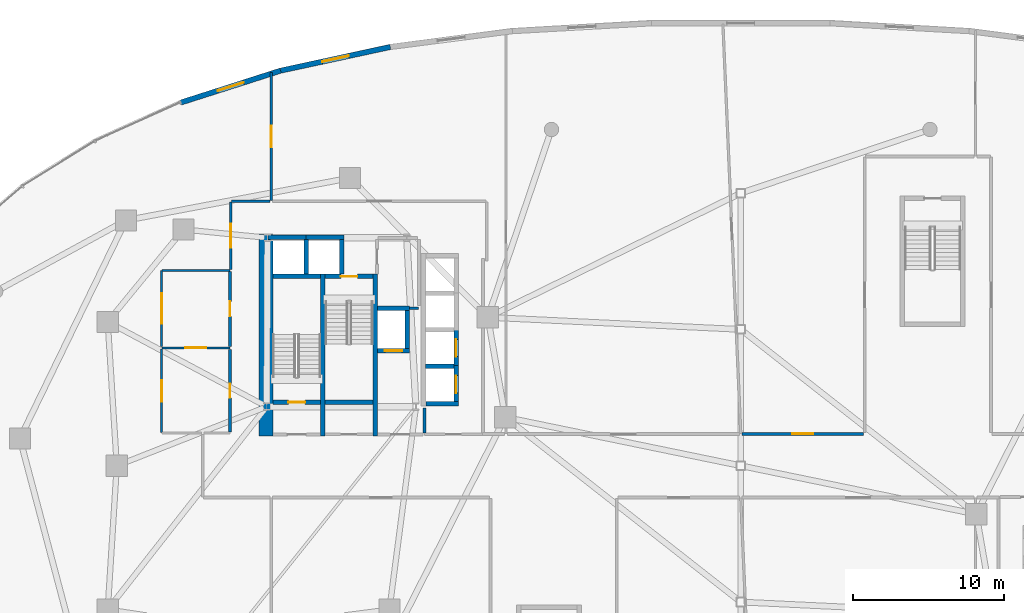
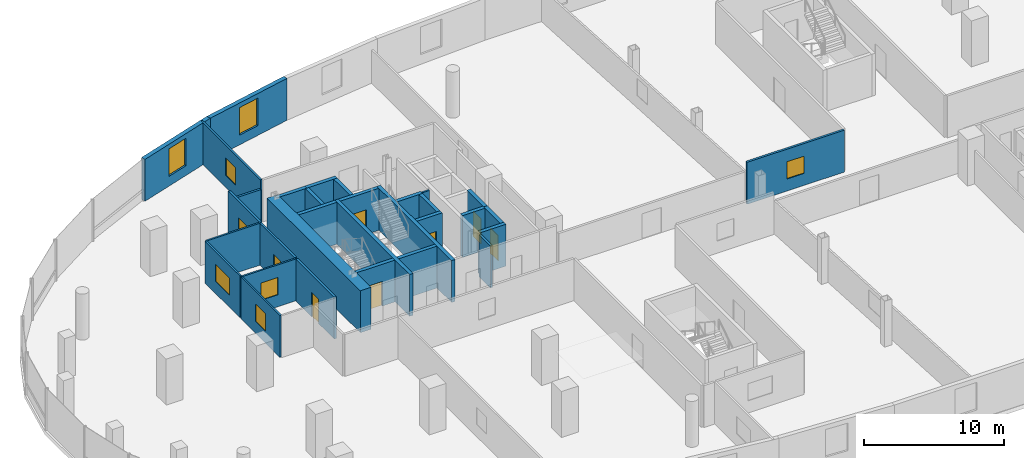
# One storey, part 13 of 19: 32 walls, 8 doors, 7 windows, 15 openings.
"""IFC4 building model written with IfcOpenShell, lengths in metres."""

import ifcopenshell
import ifcopenshell.guid

model = None  # the IFC model being written
_history = None  # IfcOwnerHistory: only IFC2X3 demands one
_inside = {}  # id of a spatial element -> (the spatial element, [elements in it])
_under = {}  # id of a project, library or spatial element -> (it, [spatial elements below it])
_declared = {}  # id of a project -> (the project, [libraries it declares])
_typed = {}  # id of a type object -> (the type object, [elements of that type])
_made_of = {}  # id of a material, layer set ... -> (it, [elements and type objects made of it])


def new_model(schema):
    """Start an empty IFC model of exactly this schema.

    Asked for "IFC4X3", IfcOpenShell would pick the latest addendum, in which some entities
    have other attributes; the version numbers below select the first issue.
    IFC2X3 requires an IfcOwnerHistory on every rooted entity: one is made here for all.
    """
    global model, _history
    if schema == "IFC4X3":
        model = ifcopenshell.file(schema_version=(4, 3, 0, 0))
    else:
        model = ifcopenshell.file(schema=schema)
    _inside.clear()
    _under.clear()
    _declared.clear()
    _typed.clear()
    _made_of.clear()
    _history = None
    if model.schema == "IFC2X3":
        org = make("IfcOrganization", Name="unknown")
        user = make(
            "IfcPersonAndOrganization",
            ThePerson=make("IfcPerson", FamilyName="unknown"),
            TheOrganization=org,
        )
        app = make(
            "IfcApplication",
            ApplicationDeveloper=org,
            Version="unknown",
            ApplicationFullName="unknown",
            ApplicationIdentifier="unknown",
        )
        _history = make(
            "IfcOwnerHistory",
            OwningUser=user,
            OwningApplication=app,
            ChangeAction="ADDED",
            CreationDate=0,
        )
    return model


def make(cls, **values):
    """One entity of the class cls with the attributes given. An attribute that is None is left unset."""
    return model.create_entity(
        cls, **{name: value for name, value in values.items() if value is not None}
    )


def rooted(cls, **values):
    """An entity with a GlobalId (a new one), such as an element, a storey or a relation."""
    return make(cls, GlobalId=ifcopenshell.guid.new(), OwnerHistory=_history, **values)


def si_unit(unit_type, name, prefix=None):
    """IfcSIUnit, for example si_unit("LENGTHUNIT", "METRE", prefix="MILLI")."""
    return make("IfcSIUnit", UnitType=unit_type, Prefix=prefix, Name=name)


def assignment(units):
    """IfcUnitAssignment: the units of a project."""
    return None if units is None else make("IfcUnitAssignment", Units=units)


def point(xyz):
    """IfcCartesianPoint."""
    return None if xyz is None else make("IfcCartesianPoint", Coordinates=xyz)


def direction(xyz):
    """IfcDirection."""
    return None if xyz is None else make("IfcDirection", DirectionRatios=xyz)


def frame(location, z_axis=None, x_axis=None):
    """IfcAxis2Placement3D, a coordinate frame: its origin and axes. An axis left out is left unset."""
    return make(
        "IfcAxis2Placement3D",
        Location=point(location),
        Axis=direction(z_axis),
        RefDirection=direction(x_axis),
    )


def frame_2d(location, x_axis=None):
    """IfcAxis2Placement2D, a coordinate frame in the plane: its origin and x axis."""
    return make(
        "IfcAxis2Placement2D", Location=point(location), RefDirection=direction(x_axis)
    )


def origin():
    """The frame at (0, 0, 0) with its axes left unset."""
    return frame((0.0, 0.0, 0.0))


def place(relative_to, where):
    """IfcLocalPlacement: puts the frame where relative to a parent placement (None: the world)."""
    return make(
        "IfcLocalPlacement", PlacementRelTo=relative_to, RelativePlacement=where
    )


def context(
    kind, dimensions, precision=None, world=None, true_north=None, identifier=None
):
    """IfcGeometricRepresentationContext, for example the 3D "Model" context."""
    return make(
        "IfcGeometricRepresentationContext",
        ContextIdentifier=identifier,
        ContextType=kind,
        CoordinateSpaceDimension=dimensions,
        Precision=precision,
        WorldCoordinateSystem=world,
        TrueNorth=true_north,
    )


def subcontext(parent, identifier, kind, view, scale=None):
    """IfcGeometricRepresentationSubContext, for example "Body" below "Model"."""
    return make(
        "IfcGeometricRepresentationSubContext",
        ContextIdentifier=identifier,
        ContextType=kind,
        ParentContext=parent,
        TargetScale=scale,
        TargetView=view,
    )


def project(units=None, contexts=None):
    """IfcProject with its units and contexts."""
    return rooted(
        "IfcProject",
        Name="project",
        RepresentationContexts=contexts,
        UnitsInContext=assignment(units),
    )


def spatial(cls, under=None, at=None, **own):
    """A site, building, storey or space (cls), placed at a placement, below another one or the project."""
    s = rooted(cls, ObjectPlacement=at, **own)
    if under is not None:
        _under.setdefault(under.id(), (under, []))[1].append(s)
    return s


def profile(cls, at=None, kind="AREA", **sizes):
    """A parametric profile (cls). Its sizes go by their IFC names, for example OverallWidth=200.0."""
    return make(cls, ProfileType=kind, Position=at, **sizes)


def rectangle(**sizes):
    """IfcRectangleProfileDef."""
    return profile("IfcRectangleProfileDef", **sizes)


def extrude(swept, where, along, depth):
    """IfcExtrudedAreaSolid: the profile swept, set in the frame where, extruded along a direction by depth."""
    return make(
        "IfcExtrudedAreaSolid",
        SweptArea=swept,
        Position=where,
        ExtrudedDirection=direction(along),
        Depth=depth,
    )


def shape(context_of_items, identifier, shape_type, items):
    """IfcShapeRepresentation: the items that make up one representation, for example the "Body"."""
    return make(
        "IfcShapeRepresentation",
        ContextOfItems=context_of_items,
        RepresentationIdentifier=identifier,
        RepresentationType=shape_type,
        Items=items,
    )


def material(Name=None, Category=None):
    """IfcMaterial."""
    return make("IfcMaterial", Name=Name, Category=Category)


def layer(
    of_material, thickness, ventilated=None, Name=None, Category=None, Priority=None
):
    """IfcMaterialLayer: one layer of a wall or slab, of a material (None: an air gap)."""
    return make(
        "IfcMaterialLayer",
        Material=of_material,
        LayerThickness=thickness,
        IsVentilated=ventilated,
        Name=Name,
        Category=Category,
        Priority=Priority,
    )


def layer_set(layers, Name=None):
    """IfcMaterialLayerSet."""
    return make("IfcMaterialLayerSet", MaterialLayers=layers, LayerSetName=Name)


def made_of(thing, what):
    """Note that an element or type object is made of a material, layer set ...; save() writes the relation."""
    if what is not None:
        _made_of.setdefault(what.id(), (what, []))[1].append(thing)
    return thing


def type_object(cls, material=None, **own):
    """A type object (cls), such as IfcWallType, which elements share."""
    return made_of(rooted(cls, **own), material)


def element(
    cls,
    number,
    at=None,
    inside=None,
    cuts=None,
    type_object=None,
    material=None,
    context=None,
    identifier="Body",
    shape_type=None,
    held_by="IfcProductDefinitionShape",
    body=None,
    shapes=None,
    **own,
):
    """One element of the class cls, such as IfcWall. Its Tag is "e" and its number.

    at: its placement. inside: the storey or other place that contains it. cuts: it is an
    opening in that element (IfcRelVoidsElement). A single representation is given by context,
    identifier, shape_type and body (its items); several are given by shapes. held_by: the class
    of the entity that holds the representations. save() writes the other relations.
    """
    e = rooted(cls, Tag="e%d" % number, ObjectPlacement=at, **own)
    if body is not None:
        shapes = [shape(context, identifier, shape_type, body)]
    if shapes is not None:
        e.Representation = make(held_by, Representations=shapes)
    if inside is not None:
        _inside.setdefault(inside.id(), (inside, []))[1].append(e)
    if cuts is not None:
        rooted(
            "IfcRelVoidsElement", RelatingBuildingElement=cuts, RelatedOpeningElement=e
        )
    if type_object is not None:
        _typed.setdefault(type_object.id(), (type_object, []))[1].append(e)
    return made_of(e, material)


def fill(opening, filler):
    """IfcRelFillsElement: the door or window that sits in an opening."""
    return rooted(
        "IfcRelFillsElement",
        RelatingOpeningElement=opening,
        RelatedBuildingElement=filler,
    )


def aggregate(whole, parts):
    """IfcRelAggregates: a whole, such as a stair, and the parts it consists of."""
    return rooted("IfcRelAggregates", RelatingObject=whole, RelatedObjects=parts)


def save(model, path):
    """Write the relations noted so far, then the file.

    IfcRelAggregates (storeys below a building ...), IfcRelContainedInSpatialStructure (elements
    in a storey), IfcRelDefinesByType, IfcRelAssociatesMaterial and IfcRelDeclares: one each for
    every whole, place, type object, material and project.
    """
    for whole, parts in _under.values():
        aggregate(whole, parts)
    for where, things in _inside.values():
        rooted(
            "IfcRelContainedInSpatialStructure",
            RelatedElements=things,
            RelatingStructure=where,
        )
    for kind, things in _typed.values():
        rooted("IfcRelDefinesByType", RelatedObjects=things, RelatingType=kind)
    for what, things in _made_of.values():
        rooted("IfcRelAssociatesMaterial", RelatedObjects=things, RelatingMaterial=what)
    for by, libraries in _declared.values():
        rooted("IfcRelDeclares", RelatingContext=by, RelatedDefinitions=libraries)
    model.write(path)


model = new_model("IFC4")

# Units and contexts
model_context = context("Model", 3, precision=1e-05, world=origin(), true_north=direction((0.0, 1.0)))
body_context = subcontext(model_context, "Body", "Model", "MODEL_VIEW")
ifc_project = project(units=[si_unit("LENGTHUNIT", "METRE"), si_unit("AREAUNIT", "SQUARE_METRE"), si_unit("VOLUMEUNIT", "CUBIC_METRE"), si_unit("PLANEANGLEUNIT", "RADIAN"), si_unit("MASSUNIT", "GRAM", prefix="KILO"), si_unit("THERMODYNAMICTEMPERATUREUNIT", "KELVIN"), si_unit("POWERUNIT", "WATT")], contexts=[model_context])

# Site, building, storey
site_placement = place(None, origin())
site = spatial("IfcSite", under=ifc_project, at=site_placement, CompositionType="ELEMENT")
building_placement = place(site_placement, origin())
building = spatial("IfcBuilding", under=site, at=building_placement, Name="Cundina Bronze Exchange", CompositionType="ELEMENT")
storey_placement = place(building_placement, frame((0.0, 0.0, 16.0)))
storey = spatial("IfcBuildingStorey", under=building, at=storey_placement, Name="L03", CompositionType="ELEMENT", Elevation=16.0)

# Wall
ifc_material_1 = material(Name="Gypsum Fireboard Partition EI120")
ifc_layer_1 = layer(ifc_material_1, 0.179931640625, Name="Gypsum Fireboard Partition EI120")
ifc_layer_set_1 = layer_set([ifc_layer_1], Name="Gypsum Fireboard Partition EI120")
wall_type_1 = type_object("IfcWallType", Name="WL-COR-180", PredefinedType="PARTITIONING", material=ifc_layer_set_1)
wall_1_placement = place(storey_placement, frame((-20.889892578125, 2.14990234375, 0.0), z_axis=(0.0, 0.0, 1.0), x_axis=(0.0, 1.0, 0.0)))
element("IfcWall", 1, at=wall_1_placement, inside=storey, type_object=wall_type_1, Name="L03 W Firefighting Lobby Side Wall", PredefinedType="PARTITIONING", context=body_context, shape_type="SweptSolid", body=[
    extrude(rectangle(XDim=1.650146484375, YDim=0.179931640625, at=frame_2d((0.8251953125, 0.0))), origin(), (0.0, 0.0, 1.0), 3.64990234375),
])

# Wall, opening, door
wall_2_placement = place(storey_placement, frame((-33.719970703125, 2.219970703125, 0.0), z_axis=(0.0, 0.0, 1.0), x_axis=(0.0, 1.0, 0.0)))
wall_2 = element("IfcWall", 2, at=wall_2_placement, inside=storey, type_object=wall_type_1, Name="L03 Interior Partition 021", PredefinedType="PARTITIONING", context=body_context, shape_type="SweptSolid", body=[
    extrude(rectangle(XDim=5.4599609375, YDim=0.179931640625, at=frame_2d((2.72998046875, 0.0))), origin(), (0.0, 0.0, 1.0), 3.64990234375),
])
opening_1_placement = place(wall_2_placement, frame((2.2548828125, 0.0, 0.0)))
opening_1 = element("IfcOpeningElement", 3, at=opening_1_placement, cuts=wall_2, Name="Opening DW-01", PredefinedType="OPENING", context=body_context, shape_type="SweptSolid", body=[
    extrude(rectangle(XDim=0.949951171875, YDim=2.10009765625, at=frame_2d((0.47509765625, 1.050048828125))), frame((0.0, 0.099853515625, 0.0), z_axis=(0.0, -1.0, 0.0), x_axis=(1.0, 0.0, 0.0)), (0.0, 0.0, 1.0), 0.199951171875),
])
ifc_material_2 = material(Name="Solid Andean Oak Timber Grade A", Category="wood")
door_type_1 = type_object("IfcDoorType", Name="DR-WC-950", OperationType="NOTDEFINED", PredefinedType="DOOR", material=ifc_material_2)
door_1_placement = place(opening_1_placement, origin())
door_1 = element("IfcDoor", 4, at=door_1_placement, inside=storey, type_object=door_type_1, Name="L03 Interior Door 021", OperationType="SINGLE_SWING_RIGHT", OverallHeight=2.10009765625, OverallWidth=0.949951171875, PredefinedType="DOOR", context=body_context, shape_type="SweptSolid", body=[
    extrude(rectangle(XDim=0.949951171875, YDim=2.10009765625, at=frame_2d((0.47509765625, 1.050048828125))), frame((0.0, 0.02490234375, 0.0), z_axis=(0.0, -1.0, 0.0), x_axis=(1.0, 0.0, 0.0)), (0.0, 0.0, 1.0), 0.050048828125),
])
fill(opening_1, door_1)

wall_3_placement = place(storey_placement, frame((-33.719970703125, 7.8798828125, 0.0), z_axis=(0.0, 0.0, 1.0), x_axis=(0.0, 1.0, 0.0)))
wall_3 = element("IfcWall", 5, at=wall_3_placement, inside=storey, type_object=wall_type_1, Name="L03 Interior Partition 022", PredefinedType="PARTITIONING", context=body_context, shape_type="SweptSolid", body=[
    extrude(rectangle(XDim=4.960205078125, YDim=0.179931640625, at=frame_2d((2.47998046875, 0.0))), origin(), (0.0, 0.0, 1.0), 3.64990234375),
])
opening_2_placement = place(wall_3_placement, frame((1.97998046875, 0.0, 0.0)))
opening_2 = element("IfcOpeningElement", 6, at=opening_2_placement, cuts=wall_3, Name="Opening DO-01", PredefinedType="OPENING", context=body_context, shape_type="SweptSolid", body=[
    extrude(rectangle(XDim=1.0, YDim=2.14990234375, at=frame_2d((0.5, 1.074951171875))), frame((0.0, 0.099853515625, 0.0), z_axis=(0.0, -1.0, 0.0), x_axis=(1.0, 0.0, 0.0)), (0.0, 0.0, 1.0), 0.199951171875),
])
door_type_2 = type_object("IfcDoorType", Name="DR-OFF-1000", OperationType="NOTDEFINED", PredefinedType="DOOR", material=ifc_material_2)
door_2_placement = place(opening_2_placement, origin())
door_2 = element("IfcDoor", 7, at=door_2_placement, inside=storey, type_object=door_type_2, Name="L03 Interior Door 022", OperationType="SINGLE_SWING_LEFT", OverallHeight=2.14990234375, OverallWidth=1.0, PredefinedType="DOOR", context=body_context, shape_type="SweptSolid", body=[
    extrude(rectangle(XDim=1.0, YDim=2.14990234375, at=frame_2d((0.5, 1.074951171875))), frame((0.0, 0.02490234375, 0.0), z_axis=(0.0, -1.0, 0.0), x_axis=(1.0, 0.0, 0.0)), (0.0, 0.0, 1.0), 0.050048828125),
])
fill(opening_2, door_2)

wall_4_placement = place(storey_placement, frame((-33.669921875, 17.428466796875, 0.0), z_axis=(0.0, 0.0, 1.0), x_axis=(0.0, -1.0, 0.0)))
wall_4 = element("IfcWall", 8, at=wall_4_placement, inside=storey, type_object=wall_type_1, Name="L03 Interior Partition 045", PredefinedType="PARTITIONING", context=body_context, shape_type="SweptSolid", body=[
    extrude(rectangle(XDim=4.47705078125, YDim=0.179931640625, at=frame_2d((2.238525390625, 0.0))), origin(), (0.0, 0.0, 1.0), 3.64990234375),
])
opening_3_placement = place(wall_4_placement, frame((1.4384765625, 0.0, 0.0)))
opening_3 = element("IfcOpeningElement", 9, at=opening_3_placement, cuts=wall_4, Name="Opening DO-02", PredefinedType="OPENING", context=body_context, shape_type="SweptSolid", body=[
    extrude(rectangle(XDim=1.60009765625, YDim=2.199951171875, at=frame_2d((0.800048828125, 1.10009765625))), frame((0.0, 0.099853515625, 0.0), z_axis=(0.0, -1.0, 0.0), x_axis=(1.0, 0.0, 0.0)), (0.0, 0.0, 1.0), 0.199951171875),
])
door_type_3 = type_object("IfcDoorType", Name="DR-TRD-1600", OperationType="NOTDEFINED", PredefinedType="DOOR", material=ifc_material_2)
door_3_placement = place(opening_3_placement, origin())
door_3 = element("IfcDoor", 10, at=door_3_placement, inside=storey, type_object=door_type_3, Name="L03 Interior Door 045", OperationType="SINGLE_SWING_RIGHT", OverallHeight=2.199951171875, OverallWidth=1.60009765625, PredefinedType="DOOR", context=body_context, shape_type="SweptSolid", body=[
    extrude(rectangle(XDim=1.60009765625, YDim=2.199951171875, at=frame_2d((0.800048828125, 1.10009765625))), frame((0.0, 0.02490234375, 0.0), z_axis=(0.0, -1.0, 0.0), x_axis=(1.0, 0.0, 0.0)), (0.0, 0.0, 1.0), 0.050048828125),
])
fill(opening_3, door_3)

# Wall
wall_5_placement = place(storey_placement, frame((-31.094970703125, 17.469970703125, 0.0), z_axis=(0.0, 0.0, 1.0), x_axis=(-1.0, 0.0, 0.0)))
element("IfcWall", 11, at=wall_5_placement, inside=storey, type_object=wall_type_1, Name="L03 Interior Partition 048", PredefinedType="PARTITIONING", context=body_context, shape_type="SweptSolid", body=[
    extrude(rectangle(XDim=2.533447265625, YDim=0.179931640625, at=frame_2d((1.2666015625, 0.0))), origin(), (0.0, 0.0, 1.0), 2.876953125),
])

# Wall, opening, window
wall_6_placement = place(storey_placement, frame((8.10009765625, 2.10009765625, 0.0), z_axis=(0.0, 0.0, 1.0), x_axis=(-1.0, 0.0, 0.0)))
wall_6 = element("IfcWall", 12, at=wall_6_placement, inside=storey, type_object=wall_type_1, Name="L03 Interior Partition 059", PredefinedType="PARTITIONING", context=body_context, shape_type="SweptSolid", body=[
    extrude(rectangle(XDim=8.005126953125, YDim=0.179931640625, at=frame_2d((4.00244140625, 0.0))), origin(), (0.0, 0.0, 1.0), 3.64990234375),
])
opening_4_placement = place(wall_6_placement, frame((3.302001953125, 0.0, 1.050048828125)))
opening_4 = element("IfcOpeningElement", 13, at=opening_4_placement, cuts=wall_6, Name="Opening WI-02", PredefinedType="OPENING", context=body_context, shape_type="SweptSolid", body=[
    extrude(rectangle(XDim=1.39990234375, YDim=1.5, at=frame_2d((0.699951171875, 0.75))), frame((0.0, 0.099853515625, 0.0), z_axis=(0.0, -1.0, 0.0), x_axis=(1.0, 0.0, 0.0)), (0.0, 0.0, 1.0), 0.199951171875),
])
ifc_material_3 = material(Name="Clear Low-E Insulating Glass 26mm", Category="glass")
window_type_1 = type_object("IfcWindowType", Name="WN-INT-1400", PartitioningType="SINGLE_PANEL", PredefinedType="WINDOW", material=ifc_material_3)
window_1_placement = place(opening_4_placement, origin())
window_1 = element("IfcWindow", 14, at=window_1_placement, inside=storey, type_object=window_type_1, Name="L03 Interior Acoustic Vision Window 059", OverallHeight=1.5, OverallWidth=1.39990234375, PartitioningType="SINGLE_PANEL", PredefinedType="WINDOW", context=body_context, shape_type="SweptSolid", body=[
    extrude(rectangle(XDim=1.39990234375, YDim=1.5, at=frame_2d((0.699951171875, 0.75))), frame((0.0, 0.030029296875, 0.0), z_axis=(0.0, -1.0, 0.0), x_axis=(1.0, 0.0, 0.0)), (0.0, 0.0, 1.0), 0.06005859375),
])
fill(opening_4, window_1)

# Wall
ifc_material_4 = material(Name="Concrete C60/75", Category="concrete")
ifc_layer_2 = layer(ifc_material_4, 0.89990234375, Name="Concrete C60/75", Category="concrete")
ifc_layer_set_2 = layer_set([ifc_layer_2], Name="Concrete C60/75")
wall_type_2 = type_object("IfcWallType", Name="WL-CORE-900", PredefinedType="SHEAR", material=ifc_layer_set_2)
wall_7_placement = place(storey_placement, frame((-31.35009765625, 1.969970703125, 0.0), z_axis=(0.0, 0.0, 1.0), x_axis=(0.0, 1.0, 0.0)))
element("IfcWall", 15, at=wall_7_placement, inside=storey, type_object=wall_type_2, Name="L03 W Primary Core Shear Spine Wall", PredefinedType="SHEAR", context=body_context, shape_type="SweptSolid", body=[
    extrude(rectangle(XDim=13.330078125, YDim=0.89990234375, at=frame_2d((6.6650390625, 0.0))), origin(), (0.0, 0.0, 1.0), 3.64990234375),
])

# Wall, opening, window
ifc_material_5 = material(Name="Concrete C40/50", Category="concrete")
ifc_layer_3 = layer(ifc_material_5, 0.35009765625, Name="Concrete C40/50", Category="concrete")
ifc_layer_set_3 = layer_set([ifc_layer_3], Name="Concrete C40/50")
wall_type_3 = type_object("IfcWallType", Name="WL-EXT-350", PredefinedType="SOLIDWALL", material=ifc_layer_set_3)
wall_8_placement = place(storey_placement, frame((-23.139892578125, 27.65234375, 0.0), z_axis=(0.0, 0.0, 1.0), x_axis=(-0.977456656467, -0.211136175795, 0.0)))
wall_8 = element("IfcWall", 16, at=wall_8_placement, inside=storey, type_object=wall_type_3, Name="L03 Podium Exterior Wall 13", PredefinedType="SOLIDWALL", context=body_context, shape_type="SweptSolid", body=[
    extrude(rectangle(XDim=7.40625, YDim=0.35009765625, at=frame_2d((3.703125, 0.0))), origin(), (0.0, 0.0, 1.0), 3.64990234375),
])
opening_5_placement = place(wall_8_placement, frame((2.802978515625, 0.0, 0.85009765625)))
opening_5 = element("IfcOpeningElement", 17, at=opening_5_placement, cuts=wall_8, Name="Opening W-02", PredefinedType="OPENING", context=body_context, shape_type="SweptSolid", body=[
    extrude(rectangle(XDim=1.800048828125, YDim=2.39990234375, at=frame_2d((0.89990234375, 1.199951171875))), frame((0.0, 0.18505859375, 0.0), z_axis=(0.0, -1.0, 0.0), x_axis=(1.0, 0.0, 0.0)), (0.0, 0.0, 1.0), 0.3701171875),
])
ifc_material_6 = material(Name="Heat-Strengthened Solar-Control Bronze Safety Glass 28mm", Category="glass")
window_type_2 = type_object("IfcWindowType", Name="WN-POD-1800", PartitioningType="SINGLE_PANEL", PredefinedType="WINDOW", material=ifc_material_6)
window_2_placement = place(opening_5_placement, origin())
window_2 = element("IfcWindow", 18, at=window_2_placement, inside=storey, type_object=window_type_2, Name="L03 Podium Punched Window 13", OverallHeight=2.39990234375, OverallWidth=1.800048828125, PartitioningType="SINGLE_PANEL", PredefinedType="WINDOW", context=body_context, shape_type="SweptSolid", body=[
    extrude(rectangle(XDim=1.800048828125, YDim=2.39990234375, at=frame_2d((0.89990234375, 1.199951171875))), frame((0.0, 0.030029296875, 0.0), z_axis=(0.0, -1.0, 0.0), x_axis=(1.0, 0.0, 0.0)), (0.0, 0.0, 1.0), 0.06005859375),
])
fill(opening_5, window_2)

wall_9_placement = place(storey_placement, frame((-30.379150390625, 26.088623046875, 0.0), z_axis=(0.0, 0.0, 1.0), x_axis=(-0.952587993211, -0.304263233385, 0.0)))
wall_9 = element("IfcWall", 19, at=wall_9_placement, inside=storey, type_object=wall_type_3, Name="L03 Podium Exterior Wall 14", PredefinedType="SOLIDWALL", context=body_context, shape_type="SweptSolid", body=[
    extrude(rectangle(XDim=6.931884765625, YDim=0.35009765625, at=frame_2d((3.4658203125, 0.0))), origin(), (0.0, 0.0, 1.0), 3.64990234375),
])
opening_6_placement = place(wall_9_placement, frame((2.56591796875, 0.0, 0.85009765625)))
opening_6 = element("IfcOpeningElement", 20, at=opening_6_placement, cuts=wall_9, Name="Opening W-02", PredefinedType="OPENING", context=body_context, shape_type="SweptSolid", body=[
    extrude(rectangle(XDim=1.800048828125, YDim=2.39990234375, at=frame_2d((0.89990234375, 1.199951171875))), frame((0.0, 0.18505859375, 0.0), z_axis=(0.0, -1.0, 0.0), x_axis=(1.0, 0.0, 0.0)), (0.0, 0.0, 1.0), 0.3701171875),
])
window_3_placement = place(opening_6_placement, origin())
window_3 = element("IfcWindow", 21, at=window_3_placement, inside=storey, type_object=window_type_2, Name="L03 Podium Punched Window 14", OverallHeight=2.39990234375, OverallWidth=1.800048828125, PartitioningType="SINGLE_PANEL", PredefinedType="WINDOW", context=body_context, shape_type="SweptSolid", body=[
    extrude(rectangle(XDim=1.800048828125, YDim=2.39990234375, at=frame_2d((0.89990234375, 1.199951171875))), frame((0.0, 0.030029296875, 0.0), z_axis=(0.0, -1.0, 0.0), x_axis=(1.0, 0.0, 0.0)), (0.0, 0.0, 1.0), 0.06005859375),
])
fill(opening_6, window_3)

# Walls
ifc_material_7 = material(Name="Concrete C50/60", Category="concrete")
ifc_layer_4 = layer(ifc_material_7, 0.300048828125, Name="Concrete C50/60", Category="concrete")
ifc_layer_set_4 = layer_set([ifc_layer_4], Name="Concrete C50/60")
wall_type_4 = type_object("IfcWallType", Name="WL-SHFT-300", PredefinedType="SHEAR", material=ifc_layer_set_4)
for number, where, z_axis, x_axis, name in (
    (22, (-27.590087890625, 1.969970703125, 0.0), (0.0, 0.0, 1.0), (0.0, 1.0, 0.0), "L03 W Stair Shaft Dividing Shear Wall"),
    (23, (-24.1298828125, 1.969970703125, 0.0), (0.0, 0.0, 1.0), (0.0, 1.0, 0.0), "L03 W Stair 2 East Shear Wall"),
):
    element("IfcWall", number, at=place(storey_placement, frame(where, z_axis=z_axis, x_axis=x_axis)), inside=storey, type_object=wall_type_4, Name=name, PredefinedType="SHEAR", context=body_context, shape_type="SweptSolid", body=[
        extrude(rectangle(XDim=10.679931640625, YDim=0.300048828125, at=frame_2d((5.33984375, 0.0))), origin(), (0.0, 0.0, 1.0), 3.64990234375),
    ])

# Wall, opening, door
wall_10_placement = place(storey_placement, frame((-30.89990234375, 4.199951171875, 0.0), z_axis=(0.0, 0.0, 1.0), x_axis=(1.0, 0.0, 0.0)))
wall_10 = element("IfcWall", 24, at=wall_10_placement, inside=storey, type_object=wall_type_4, Name="L03 Stair W1 Landing Wall", PredefinedType="SHEAR", context=body_context, shape_type="SweptSolid", body=[
    extrude(rectangle(XDim=3.159912109375, YDim=0.300048828125, at=frame_2d((1.580078125, 0.0))), origin(), (0.0, 0.0, 1.0), 3.64990234375),
])
opening_7_placement = place(wall_10_placement, frame((1.030029296875, 0.0, 0.0)))
opening_7 = element("IfcOpeningElement", 25, at=opening_7_placement, cuts=wall_10, Name="Opening DS-01", PredefinedType="OPENING", context=body_context, shape_type="SweptSolid", body=[
    extrude(rectangle(XDim=1.10009765625, YDim=2.14990234375, at=frame_2d((0.550048828125, 1.074951171875))), frame((0.0, 0.159912109375, 0.0), z_axis=(0.0, -1.0, 0.0), x_axis=(1.0, 0.0, 0.0)), (0.0, 0.0, 1.0), 0.320068359375),
])
ifc_material_8 = material(Name="Steel ASTM A36 Painted", Category="steel")
door_type_4 = type_object("IfcDoorType", Name="DR-STR-1100", OperationType="NOTDEFINED", PredefinedType="DOOR", material=ifc_material_8)
door_4_placement = place(opening_7_placement, origin())
door_4 = element("IfcDoor", 26, at=door_4_placement, inside=storey, type_object=door_type_4, Name="L03 Smokeproof Stair W1 Door", OperationType="SINGLE_SWING_RIGHT", OverallHeight=2.14990234375, OverallWidth=1.10009765625, PredefinedType="DOOR", context=body_context, shape_type="SweptSolid", body=[
    extrude(rectangle(XDim=1.10009765625, YDim=2.14990234375, at=frame_2d((0.550048828125, 1.074951171875))), frame((0.0, 0.02490234375, 0.0), z_axis=(0.0, -1.0, 0.0), x_axis=(1.0, 0.0, 0.0)), (0.0, 0.0, 1.0), 0.050048828125),
])
fill(opening_7, door_4)

# Wall
wall_11_placement = place(storey_placement, frame((-30.89990234375, 12.5, 0.0), z_axis=(0.0, 0.0, 1.0), x_axis=(1.0, 0.0, 0.0)))
element("IfcWall", 27, at=wall_11_placement, inside=storey, type_object=wall_type_4, Name="L03 Stair W1 Far Shaft Wall", PredefinedType="SHEAR", context=body_context, shape_type="SweptSolid", body=[
    extrude(rectangle(XDim=3.159912109375, YDim=0.300048828125, at=frame_2d((1.580078125, 0.0))), origin(), (0.0, 0.0, 1.0), 3.64990234375),
])

# Wall, opening, door
wall_12_placement = place(storey_placement, frame((-27.43994140625, 12.5, 0.0), z_axis=(0.0, 0.0, 1.0), x_axis=(1.0, 0.0, 0.0)))
wall_12 = element("IfcWall", 28, at=wall_12_placement, inside=storey, type_object=wall_type_4, Name="L03 Stair W2 Landing Wall", PredefinedType="SHEAR", context=body_context, shape_type="SweptSolid", body=[
    extrude(rectangle(XDim=3.159912109375, YDim=0.300048828125, at=frame_2d((1.580078125, 0.0))), origin(), (0.0, 0.0, 1.0), 3.64990234375),
])
opening_8_placement = place(wall_12_placement, frame((1.030029296875, 0.0, 0.0)))
opening_8 = element("IfcOpeningElement", 29, at=opening_8_placement, cuts=wall_12, Name="Opening DS-01", PredefinedType="OPENING", context=body_context, shape_type="SweptSolid", body=[
    extrude(rectangle(XDim=1.10009765625, YDim=2.14990234375, at=frame_2d((0.550048828125, 1.074951171875))), frame((0.0, 0.159912109375, 0.0), z_axis=(0.0, -1.0, 0.0), x_axis=(1.0, 0.0, 0.0)), (0.0, 0.0, 1.0), 0.320068359375),
])
door_5_placement = place(opening_8_placement, origin())
door_5 = element("IfcDoor", 30, at=door_5_placement, inside=storey, type_object=door_type_4, Name="L03 Smokeproof Stair W2 Door", OperationType="SINGLE_SWING_LEFT", OverallHeight=2.14990234375, OverallWidth=1.10009765625, PredefinedType="DOOR", context=body_context, shape_type="SweptSolid", body=[
    extrude(rectangle(XDim=1.10009765625, YDim=2.14990234375, at=frame_2d((0.550048828125, 1.074951171875))), frame((0.0, 0.02490234375, 0.0), z_axis=(0.0, -1.0, 0.0), x_axis=(1.0, 0.0, 0.0)), (0.0, 0.0, 1.0), 0.050048828125),
])
fill(opening_8, door_5)

# Wall
wall_13_placement = place(storey_placement, frame((-27.43994140625, 4.199951171875, 0.0), z_axis=(0.0, 0.0, 1.0), x_axis=(1.0, 0.0, 0.0)))
element("IfcWall", 31, at=wall_13_placement, inside=storey, type_object=wall_type_4, Name="L03 Stair W2 Far Shaft Wall", PredefinedType="SHEAR", context=body_context, shape_type="SweptSolid", body=[
    extrude(rectangle(XDim=3.159912109375, YDim=0.300048828125, at=frame_2d((1.580078125, 0.0))), origin(), (0.0, 0.0, 1.0), 3.64990234375),
])

# Wall, opening, door
wall_14_placement = place(storey_placement, frame((-23.97998046875, 7.60009765625, 0.0), z_axis=(0.0, 0.0, 1.0), x_axis=(1.0, 0.0, 0.0)))
wall_14 = element("IfcWall", 32, at=wall_14_placement, inside=storey, type_object=wall_type_4, Name="L03 FFL-W Hoistway Front Wall", PredefinedType="SHEAR", context=body_context, shape_type="SweptSolid", body=[
    extrude(rectangle(XDim=2.10009765625, YDim=0.300048828125, at=frame_2d((1.050048828125, 0.0))), origin(), (0.0, 0.0, 1.0), 3.64990234375),
])
opening_9_placement = place(wall_14_placement, frame((0.47509765625, 0.0, 0.0)))
opening_9 = element("IfcOpeningElement", 33, at=opening_9_placement, cuts=wall_14, Name="Opening LD-01", PredefinedType="OPENING", context=body_context, shape_type="SweptSolid", body=[
    extrude(rectangle(XDim=1.14990234375, YDim=2.199951171875, at=frame_2d((0.574951171875, 1.10009765625))), frame((0.0, 0.159912109375, 0.0), z_axis=(0.0, -1.0, 0.0), x_axis=(1.0, 0.0, 0.0)), (0.0, 0.0, 1.0), 0.320068359375),
])
door_type_5 = type_object("IfcDoorType", Name="DR-LND-1150", OperationType="NOTDEFINED", PredefinedType="TRAPDOOR", material=ifc_material_8)
door_6_placement = place(opening_9_placement, origin())
door_6 = element("IfcDoor", 34, at=door_6_placement, inside=storey, type_object=door_type_5, Name="L03 FFL-W Sliding Landing Door", OperationType="SLIDING_TO_LEFT", OverallHeight=2.199951171875, OverallWidth=1.14990234375, PredefinedType="TRAPDOOR", context=body_context, shape_type="SweptSolid", body=[
    extrude(rectangle(XDim=1.14990234375, YDim=2.199951171875, at=frame_2d((0.574951171875, 1.10009765625))), frame((0.0, 0.02490234375, 0.0), z_axis=(0.0, -1.0, 0.0), x_axis=(1.0, 0.0, 0.0)), (0.0, 0.0, 1.0), 0.050048828125),
])
fill(opening_9, door_6)

# Walls
wall_15_placement = place(storey_placement, frame((-23.97998046875, 10.39990234375, 0.0), z_axis=(0.0, 0.0, 1.0), x_axis=(1.0, 0.0, 0.0)))
element("IfcWall", 35, at=wall_15_placement, inside=storey, type_object=wall_type_4, Name="L03 FFL-W Hoistway Back Wall", PredefinedType="SHEAR", context=body_context, shape_type="SweptSolid", body=[
    extrude(rectangle(XDim=2.10009765625, YDim=0.300048828125, at=frame_2d((1.050048828125, 0.0))), origin(), (0.0, 0.0, 1.0), 3.64990234375),
])
for number, where, z_axis, x_axis, name in (
    (36, (-22.030029296875, 7.75, 0.0), (0.0, 0.0, 1.0), (0.0, 1.0, 0.0), "L03 FFL-W Hoistway Side Wall"),
    (37, (-31.199951171875, 15.10009765625, 0.0), (0.0, 0.0, 1.0), (1.0, 0.0, 0.0), "L03 PH-W1 Hoistway Front Wall"),
):
    element("IfcWall", number, at=place(storey_placement, frame(where, z_axis=z_axis, x_axis=x_axis)), inside=storey, type_object=wall_type_4, Name=name, PredefinedType="SHEAR", context=body_context, shape_type="SweptSolid", body=[
        extrude(rectangle(XDim=2.5, YDim=0.300048828125, at=frame_2d((1.25, 0.0))), origin(), (0.0, 0.0, 1.0), 3.64990234375),
    ])
wall_16_placement = place(storey_placement, frame((-28.699951171875, 12.64990234375, 0.0), z_axis=(0.0, 0.0, 1.0), x_axis=(0.0, 1.0, 0.0)))
element("IfcWall", 38, at=wall_16_placement, inside=storey, type_object=wall_type_4, Name="L03 PH-W1 Hoistway Divider Wall", PredefinedType="SHEAR", context=body_context, shape_type="SweptSolid", body=[
    extrude(rectangle(XDim=2.300048828125, YDim=0.300048828125, at=frame_2d((1.14990234375, 0.0))), origin(), (0.0, 0.0, 1.0), 3.64990234375),
])
wall_17_placement = place(storey_placement, frame((-28.699951171875, 15.10009765625, 0.0), z_axis=(0.0, 0.0, 1.0), x_axis=(1.0, 0.0, 0.0)))
element("IfcWall", 39, at=wall_17_placement, inside=storey, type_object=wall_type_4, Name="L03 PH-W2 Hoistway Front Wall", PredefinedType="SHEAR", context=body_context, shape_type="SweptSolid", body=[
    extrude(rectangle(XDim=2.5, YDim=0.300048828125, at=frame_2d((1.25, 0.0))), origin(), (0.0, 0.0, 1.0), 3.64990234375),
])
wall_18_placement = place(storey_placement, frame((-26.35009765625, 12.64990234375, 0.0), z_axis=(0.0, 0.0, 1.0), x_axis=(0.0, 1.0, 0.0)))
element("IfcWall", 40, at=wall_18_placement, inside=storey, type_object=wall_type_4, Name="L03 PH-W2 Hoistway Divider Wall", PredefinedType="SHEAR", context=body_context, shape_type="SweptSolid", body=[
    extrude(rectangle(XDim=2.300048828125, YDim=0.300048828125, at=frame_2d((1.14990234375, 0.0))), origin(), (0.0, 0.0, 1.0), 3.64990234375),
])
wall_19_placement = place(storey_placement, frame((-20.800048828125, 4.10009765625, 0.0), z_axis=(0.0, 0.0, 1.0), x_axis=(1.0, 0.0, 0.0)))
element("IfcWall", 41, at=wall_19_placement, inside=storey, type_object=wall_type_4, Name="L03 W Passenger Bank South Cap Wall", PredefinedType="SHEAR", context=body_context, shape_type="SweptSolid", body=[
    extrude(rectangle(XDim=2.150146484375, YDim=0.300048828125, at=frame_2d((1.0751953125, 0.0))), origin(), (0.0, 0.0, 1.0), 3.64990234375),
])
wall_20_placement = place(storey_placement, frame((-20.800048828125, 6.574951171875, 0.0), z_axis=(0.0, 0.0, 1.0), x_axis=(1.0, 0.0, 0.0)))
element("IfcWall", 42, at=wall_20_placement, inside=storey, type_object=wall_type_4, Name="L03 W Passenger Hoistway Divider 1", PredefinedType="SHEAR", context=body_context, shape_type="SweptSolid", body=[
    extrude(rectangle(XDim=1.85009765625, YDim=0.300048828125, at=frame_2d((0.925048828125, 0.0))), origin(), (0.0, 0.0, 1.0), 3.64990234375),
])

# Wall, opening, door
wall_21_placement = place(storey_placement, frame((-18.800048828125, 4.1298828125, 0.0), z_axis=(0.0, 0.0, 1.0), x_axis=(0.0, 1.0, 0.0)))
wall_21 = element("IfcWall", 43, at=wall_21_placement, inside=storey, type_object=wall_type_4, Name="L03 PL-W2 Hoistway Front Wall", PredefinedType="SHEAR", context=body_context, shape_type="SweptSolid", body=[
    extrude(rectangle(XDim=2.490234375, YDim=0.300048828125, at=frame_2d((1.2451171875, 0.0))), origin(), (0.0, 0.0, 1.0), 3.64990234375),
])
opening_10_placement = place(wall_21_placement, frame((0.669921875, 0.0, 0.0)))
opening_10 = element("IfcOpeningElement", 44, at=opening_10_placement, cuts=wall_21, Name="Opening LD-01", PredefinedType="OPENING", context=body_context, shape_type="SweptSolid", body=[
    extrude(rectangle(XDim=1.14990234375, YDim=2.199951171875, at=frame_2d((0.574951171875, 1.10009765625))), frame((0.0, 0.159912109375, 0.0), z_axis=(0.0, -1.0, 0.0), x_axis=(1.0, 0.0, 0.0)), (0.0, 0.0, 1.0), 0.320068359375),
])
door_7_placement = place(opening_10_placement, origin())
door_7 = element("IfcDoor", 45, at=door_7_placement, inside=storey, type_object=door_type_5, Name="L03 PL-W2 Sliding Landing Door", OperationType="SLIDING_TO_LEFT", OverallHeight=2.199951171875, OverallWidth=1.14990234375, PredefinedType="TRAPDOOR", context=body_context, shape_type="SweptSolid", body=[
    extrude(rectangle(XDim=1.14990234375, YDim=2.199951171875, at=frame_2d((0.574951171875, 1.10009765625))), frame((0.0, 0.02490234375, 0.0), z_axis=(0.0, -1.0, 0.0), x_axis=(1.0, 0.0, 0.0)), (0.0, 0.0, 1.0), 0.050048828125),
])
fill(opening_10, door_7)

wall_22_placement = place(storey_placement, frame((-18.800048828125, 6.530029296875, 0.0), z_axis=(0.0, 0.0, 1.0), x_axis=(0.0, 1.0, 0.0)))
wall_22 = element("IfcWall", 46, at=wall_22_placement, inside=storey, type_object=wall_type_4, Name="L03 PL-W1 Hoistway Front Wall", PredefinedType="SHEAR", context=body_context, shape_type="SweptSolid", body=[
    extrude(rectangle(XDim=2.489990234375, YDim=0.300048828125, at=frame_2d((1.2451171875, 0.0))), origin(), (0.0, 0.0, 1.0), 3.64990234375),
])
opening_11_placement = place(wall_22_placement, frame((0.669921875, 0.0, 0.0)))
opening_11 = element("IfcOpeningElement", 47, at=opening_11_placement, cuts=wall_22, Name="Opening LD-01", PredefinedType="OPENING", context=body_context, shape_type="SweptSolid", body=[
    extrude(rectangle(XDim=1.14990234375, YDim=2.199951171875, at=frame_2d((0.574951171875, 1.10009765625))), frame((0.0, 0.159912109375, 0.0), z_axis=(0.0, -1.0, 0.0), x_axis=(1.0, 0.0, 0.0)), (0.0, 0.0, 1.0), 0.320068359375),
])
door_8_placement = place(opening_11_placement, origin())
door_8 = element("IfcDoor", 48, at=door_8_placement, inside=storey, type_object=door_type_5, Name="L03 PL-W1 Sliding Landing Door", OperationType="SLIDING_TO_LEFT", OverallHeight=2.199951171875, OverallWidth=1.14990234375, PredefinedType="TRAPDOOR", context=body_context, shape_type="SweptSolid", body=[
    extrude(rectangle(XDim=1.14990234375, YDim=2.199951171875, at=frame_2d((0.574951171875, 1.10009765625))), frame((0.0, 0.02490234375, 0.0), z_axis=(0.0, -1.0, 0.0), x_axis=(1.0, 0.0, 0.0)), (0.0, 0.0, 1.0), 0.050048828125),
])
fill(opening_11, door_8)

# Wall, opening, window
ifc_material_9 = material(Name="Gypsum Acoustic Partition EI60")
ifc_layer_5 = layer(ifc_material_9, 0.14990234375, Name="Gypsum Acoustic Partition EI60")
ifc_layer_set_5 = layer_set([ifc_layer_5], Name="Gypsum Acoustic Partition EI60")
wall_type_5 = type_object("IfcWallType", Name="WL-TEN-150", PredefinedType="PARTITIONING", material=ifc_layer_set_5)
wall_23_placement = place(storey_placement, frame((-31.0, 17.5, 0.0), z_axis=(0.0, 0.0, 1.0), x_axis=(0.0, 1.0, 0.0)))
wall_23 = element("IfcWall", 49, at=wall_23_placement, inside=storey, type_object=wall_type_5, Name="L03 Interior Partition 025", PredefinedType="PARTITIONING", context=body_context, shape_type="SweptSolid", body=[
    extrude(rectangle(XDim=8.47119140625, YDim=0.14990234375, at=frame_2d((4.235595703125, 0.0))), origin(), (0.0, 0.0, 1.0), 3.64990234375),
])
opening_12_placement = place(wall_23_placement, frame((3.535888671875, 0.0, 1.050048828125)))
opening_12 = element("IfcOpeningElement", 50, at=opening_12_placement, cuts=wall_23, Name="Opening WI-02", PredefinedType="OPENING", context=body_context, shape_type="SweptSolid", body=[
    extrude(rectangle(XDim=1.39990234375, YDim=1.5, at=frame_2d((0.699951171875, 0.75))), frame((0.0, 0.0849609375, 0.0), z_axis=(0.0, -1.0, 0.0), x_axis=(1.0, 0.0, 0.0)), (0.0, 0.0, 1.0), 0.169921875),
])
window_4_placement = place(opening_12_placement, origin())
window_4 = element("IfcWindow", 51, at=window_4_placement, inside=storey, type_object=window_type_1, Name="L03 Interior Acoustic Vision Window 025", OverallHeight=1.5, OverallWidth=1.39990234375, PartitioningType="SINGLE_PANEL", PredefinedType="WINDOW", context=body_context, shape_type="SweptSolid", body=[
    extrude(rectangle(XDim=1.39990234375, YDim=1.5, at=frame_2d((0.699951171875, 0.75))), frame((0.0, 0.030029296875, 0.0), z_axis=(0.0, -1.0, 0.0), x_axis=(1.0, 0.0, 0.0)), (0.0, 0.0, 1.0), 0.06005859375),
])
fill(opening_12, window_4)

# Wall
ifc_material_10 = material(Name="Moisture-Resistant Masonry Block Grade M15", Category="masonry")
ifc_layer_6 = layer(ifc_material_10, 0.139892578125, Name="Moisture-Resistant Masonry Block Grade M15", Category="masonry")
ifc_layer_set_6 = layer_set([ifc_layer_6], Name="Moisture-Resistant Masonry Block Grade M15")
wall_type_6 = type_object("IfcWallType", Name="WL-WET-140", PredefinedType="PARTITIONING", material=ifc_layer_set_6)
wall_24_placement = place(storey_placement, frame((-21.860107421875, 10.39990234375, 0.0), z_axis=(0.0, 0.0, 1.0), x_axis=(1.0, 0.0, 0.0)))
element("IfcWall", 52, at=wall_24_placement, inside=storey, type_object=wall_type_6, Name="L03 Interior Partition 003", PredefinedType="PARTITIONING", context=body_context, shape_type="SweptSolid", body=[
    extrude(rectangle(XDim=0.590087890625, YDim=0.139892578125, at=frame_2d((0.294921875, 0.0))), origin(), (0.0, 0.0, 1.0), 3.64990234375),
])

# Wall, opening, window
wall_25_placement = place(storey_placement, frame((-38.239990234375, 2.179931640625, 0.0), z_axis=(0.0, 0.0, 1.0), x_axis=(0.0, 1.0, 0.0)))
wall_25 = element("IfcWall", 53, at=wall_25_placement, inside=storey, type_object=wall_type_6, Name="L03 Interior Partition 015", PredefinedType="PARTITIONING", context=body_context, shape_type="SweptSolid", body=[
    extrude(rectangle(XDim=5.51513671875, YDim=0.139892578125, at=frame_2d((2.757568359375, 0.0))), origin(), (0.0, 0.0, 1.0), 3.64990234375),
])
opening_13_placement = place(wall_25_placement, frame((2.05810546875, 0.0, 1.050048828125)))
opening_13 = element("IfcOpeningElement", 54, at=opening_13_placement, cuts=wall_25, Name="Opening WI-02", PredefinedType="OPENING", context=body_context, shape_type="SweptSolid", body=[
    extrude(rectangle(XDim=1.39990234375, YDim=1.5, at=frame_2d((0.699951171875, 0.75))), frame((0.0, 0.079833984375, 0.0), z_axis=(0.0, -1.0, 0.0), x_axis=(1.0, 0.0, 0.0)), (0.0, 0.0, 1.0), 0.159912109375),
])
window_5_placement = place(opening_13_placement, origin())
window_5 = element("IfcWindow", 55, at=window_5_placement, inside=storey, type_object=window_type_1, Name="L03 Interior Acoustic Vision Window 015", OverallHeight=1.5, OverallWidth=1.39990234375, PartitioningType="SINGLE_PANEL", PredefinedType="WINDOW", context=body_context, shape_type="SweptSolid", body=[
    extrude(rectangle(XDim=1.39990234375, YDim=1.5, at=frame_2d((0.699951171875, 0.75))), frame((0.0, 0.030029296875, 0.0), z_axis=(0.0, -1.0, 0.0), x_axis=(1.0, 0.0, 0.0)), (0.0, 0.0, 1.0), 0.06005859375),
])
fill(opening_13, window_5)

wall_26_placement = place(storey_placement, frame((-38.239990234375, 7.864990234375, 0.0), z_axis=(0.0, 0.0, 1.0), x_axis=(0.0, 1.0, 0.0)))
wall_26 = element("IfcWall", 56, at=wall_26_placement, inside=storey, type_object=wall_type_6, Name="L03 Interior Partition 016", PredefinedType="PARTITIONING", context=body_context, shape_type="SweptSolid", body=[
    extrude(rectangle(XDim=5.014892578125, YDim=0.139892578125, at=frame_2d((2.50732421875, 0.0))), origin(), (0.0, 0.0, 1.0), 3.64990234375),
])
opening_14_placement = place(wall_26_placement, frame((1.508056640625, 0.0, 1.050048828125)))
opening_14 = element("IfcOpeningElement", 57, at=opening_14_placement, cuts=wall_26, Name="Opening WI-01", PredefinedType="OPENING", context=body_context, shape_type="SweptSolid", body=[
    extrude(rectangle(XDim=2.0, YDim=1.5, at=frame_2d((1.0, 0.75))), frame((0.0, 0.079833984375, 0.0), z_axis=(0.0, -1.0, 0.0), x_axis=(1.0, 0.0, 0.0)), (0.0, 0.0, 1.0), 0.159912109375),
])
window_type_3 = type_object("IfcWindowType", Name="WN-INT-2000", PartitioningType="SINGLE_PANEL", PredefinedType="WINDOW", material=ifc_material_3)
window_6_placement = place(opening_14_placement, origin())
window_6 = element("IfcWindow", 58, at=window_6_placement, inside=storey, type_object=window_type_3, Name="L03 Interior Acoustic Vision Window 016", OverallHeight=1.5, OverallWidth=2.0, PartitioningType="SINGLE_PANEL", PredefinedType="WINDOW", context=body_context, shape_type="SweptSolid", body=[
    extrude(rectangle(XDim=2.0, YDim=1.5, at=frame_2d((1.0, 0.75))), frame((0.0, 0.030029296875, 0.0), z_axis=(0.0, -1.0, 0.0), x_axis=(1.0, 0.0, 0.0)), (0.0, 0.0, 1.0), 0.06005859375),
])
fill(opening_14, window_6)

wall_27_placement = place(storey_placement, frame((-38.219970703125, 7.780029296875, 0.0), z_axis=(0.0, 0.0, 1.0), x_axis=(1.0, 0.0, 0.0)))
wall_27 = element("IfcWall", 59, at=wall_27_placement, inside=storey, type_object=wall_type_6, Name="L03 Interior Partition 019", PredefinedType="PARTITIONING", context=body_context, shape_type="SweptSolid", body=[
    extrude(rectangle(XDim=4.47998046875, YDim=0.139892578125, at=frame_2d((2.239990234375, 0.0))), origin(), (0.0, 0.0, 1.0), 3.64990234375),
])
opening_15_placement = place(wall_27_placement, frame((1.5400390625, 0.0, 1.050048828125)))
opening_15 = element("IfcOpeningElement", 60, at=opening_15_placement, cuts=wall_27, Name="Opening WI-02", PredefinedType="OPENING", context=body_context, shape_type="SweptSolid", body=[
    extrude(rectangle(XDim=1.39990234375, YDim=1.5, at=frame_2d((0.699951171875, 0.75))), frame((0.0, 0.079833984375, 0.0), z_axis=(0.0, -1.0, 0.0), x_axis=(1.0, 0.0, 0.0)), (0.0, 0.0, 1.0), 0.159912109375),
])
window_7_placement = place(opening_15_placement, origin())
window_7 = element("IfcWindow", 61, at=window_7_placement, inside=storey, type_object=window_type_1, Name="L03 Interior Acoustic Vision Window 019", OverallHeight=1.5, OverallWidth=1.39990234375, PartitioningType="SINGLE_PANEL", PredefinedType="WINDOW", context=body_context, shape_type="SweptSolid", body=[
    extrude(rectangle(XDim=1.39990234375, YDim=1.5, at=frame_2d((0.699951171875, 0.75))), frame((0.0, 0.030029296875, 0.0), z_axis=(0.0, -1.0, 0.0), x_axis=(1.0, 0.0, 0.0)), (0.0, 0.0, 1.0), 0.06005859375),
])
fill(opening_15, window_7)

# Wall
wall_28_placement = place(storey_placement, frame((-38.219970703125, 12.89990234375, 0.0), z_axis=(0.0, 0.0, 1.0), x_axis=(1.0, 0.0, 0.0)))
element("IfcWall", 62, at=wall_28_placement, inside=storey, type_object=wall_type_6, Name="L03 Interior Partition 020", PredefinedType="PARTITIONING", context=body_context, shape_type="SweptSolid", body=[
    extrude(rectangle(XDim=4.47998046875, YDim=0.139892578125, at=frame_2d((2.239990234375, 0.0))), origin(), (0.0, 0.0, 1.0), 3.64990234375),
])

save(model, "model.ifc")
